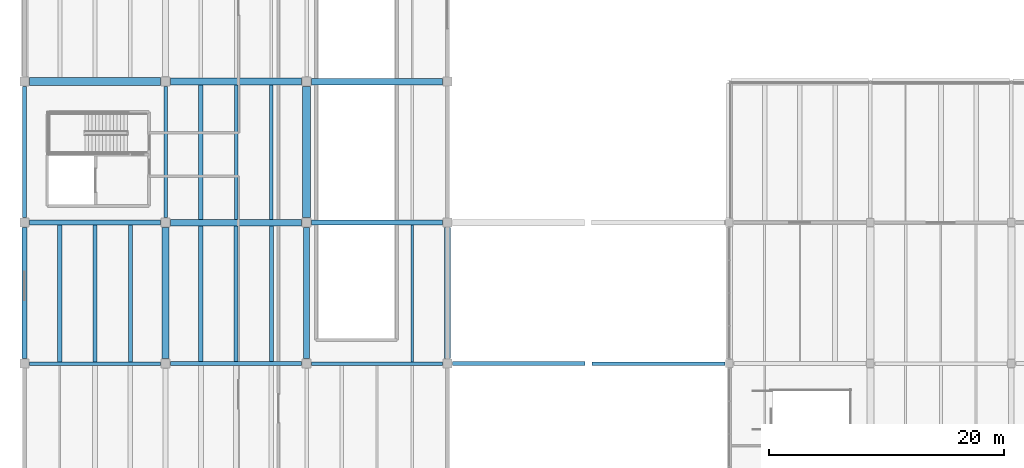
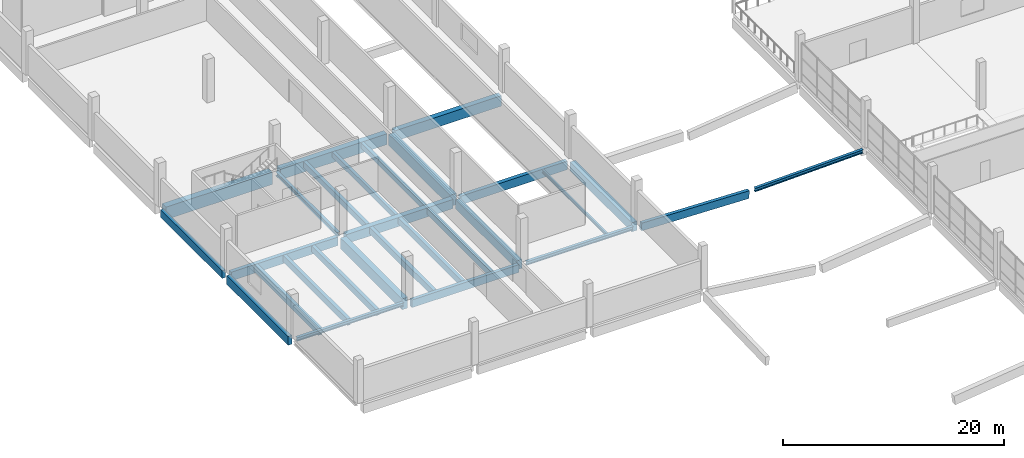
# One storey, part 19 of 112: 28 beams.
"""IFC4 building model written with IfcOpenShell, lengths in metres."""

from ifc_helpers import new_model, si_unit, direction, frame, origin, origin_2d, place, context, subcontext, project, spatial, rectangle, i_section, extrude, material, material_profile, profile_set, type_object, element, save


model = new_model("IFC4")

# Units and contexts
model_context = context("Model", 3, precision=1e-05, world=origin(), true_north=direction((0.0, 1.0)))
body_context = subcontext(model_context, "Body", "Model", "MODEL_VIEW")
ifc_project = project(units=[si_unit("LENGTHUNIT", "METRE"), si_unit("AREAUNIT", "SQUARE_METRE"), si_unit("VOLUMEUNIT", "CUBIC_METRE"), si_unit("PLANEANGLEUNIT", "RADIAN"), si_unit("MASSUNIT", "GRAM", prefix="KILO")], contexts=[model_context])

# Site, building, storey
site_placement = place(None, origin())
site = spatial("IfcSite", under=ifc_project, at=site_placement, CompositionType="ELEMENT")
building_placement = place(site_placement, origin())
building = spatial("IfcBuilding", under=site, at=building_placement, Name="Kamomehara Wholesale Market", CompositionType="ELEMENT")
storey_placement = place(building_placement, frame((0.0, 0.0, 6.60009765625)))
storey = spatial("IfcBuildingStorey", under=building, at=storey_placement, Name="L01", CompositionType="ELEMENT", Elevation=6.60009765625)

# Beams
ifc_material_1 = material(Name="Precast concrete Fc45 (C40/50)", Category="concrete")
ifc_material_profile_1 = material_profile(ifc_material_1, rectangle(XDim=0.5, YDim=1.0, at=origin_2d()), Name="PC-GRD-500x1000")
ifc_profile_set_1 = profile_set([ifc_material_profile_1], Name="Precast concrete Fc45 (C40/50)")
beam_type_1 = type_object("IfcBeamType", Name="BM-PG1000", PredefinedType="T_BEAM", material=ifc_profile_set_1)
beam_1_placement = place(storey_placement, frame((24.0, 48.425048828125, -0.842041015625), z_axis=(0.0, 1.0, 0.0), x_axis=(-1.0, 0.0, 0.0)))
element("IfcBeam", 1, at=beam_1_placement, inside=storey, type_object=beam_type_1, Name="Beam PG-09 L01", PredefinedType="T_BEAM", context=body_context, shape_type="SweptSolid", body=[
    extrude(rectangle(XDim=0.5, YDim=1.0, at=origin_2d()), origin(), (0.0, 0.0, 1.0), 11.14990234375),
])
ifc_material_2 = material(Name="Precast concrete Fc45 (C40/50)", Category="concrete")
ifc_material_profile_2 = material_profile(ifc_material_2, rectangle(XDim=0.550048828125, YDim=1.14990234375, at=origin_2d()), Name="PC-GRD-550x1150")
ifc_profile_set_2 = profile_set([ifc_material_profile_2], Name="Precast concrete Fc45 (C40/50)")
beam_type_2 = type_object("IfcBeamType", Name="BM-PG1150", PredefinedType="T_BEAM", material=ifc_profile_set_2)
beam_2_placement = place(storey_placement, frame((24.425048828125, 72.0, -0.9169921875), z_axis=(1.0, 0.0, 0.0), x_axis=(0.0, 1.0, 0.0)))
element("IfcBeam", 2, at=beam_2_placement, inside=storey, type_object=beam_type_2, Name="Beam PG-06 L01", PredefinedType="T_BEAM", context=body_context, shape_type="SweptSolid", body=[
    extrude(rectangle(XDim=0.550048828125, YDim=1.14990234375, at=origin_2d()), origin(), (0.0, 0.0, 1.0), 11.14990234375),
])
ifc_material_3 = material(Name="Precast concrete Fc45 (C40/50)", Category="concrete")
ifc_material_profile_3 = material_profile(ifc_material_3, rectangle(XDim=0.60009765625, YDim=1.199951171875, at=origin_2d()), Name="PC-GRD-600x1200")
ifc_profile_set_3 = profile_set([ifc_material_profile_3], Name="Precast concrete Fc45 (C40/50)")
beam_type_3 = type_object("IfcBeamType", Name="BM-PG1200", PredefinedType="T_BEAM", material=ifc_profile_set_3)
for number, where, z_axis, x_axis, name in (
    (3, (12.0, 48.425048828125, -0.942138671875), (0.0, 1.0, 0.0), (-1.0, 0.0, 0.0), "Beam PG-05 L01"),
    (4, (12.425048828125, 72.0, -0.942138671875), (1.0, 0.0, 0.0), (0.0, 1.0, 0.0), "Beam PG-05 L01"),
):
    element("IfcBeam", number, at=place(storey_placement, frame(where, z_axis=z_axis, x_axis=x_axis)), inside=storey, type_object=beam_type_3, Name=name, PredefinedType="T_BEAM", context=body_context, shape_type="SweptSolid", body=[
        extrude(rectangle(XDim=0.60009765625, YDim=1.199951171875, at=origin_2d()), origin(), (0.0, 0.0, 1.0), 11.14990234375),
    ])
ifc_material_4 = material(Name="Precast concrete Fc45 (C40/50)", Category="concrete")
ifc_material_profile_4 = material_profile(ifc_material_4, rectangle(XDim=0.64990234375, YDim=1.25, at=origin_2d()), Name="PC-GRD-650x1250")
ifc_profile_set_4 = profile_set([ifc_material_profile_4], Name="Precast concrete Fc45 (C40/50)")
beam_type_4 = type_object("IfcBeamType", Name="BM-PG1250", PredefinedType="T_BEAM", material=ifc_profile_set_4)
beam_3_placement = place(storey_placement, frame((24.0, 60.425048828125, -0.967041015625), z_axis=(0.0, 1.0, 0.0), x_axis=(-1.0, 0.0, 0.0)))
element("IfcBeam", 5, at=beam_3_placement, inside=storey, type_object=beam_type_4, Name="Beam PG-04 L01", PredefinedType="T_BEAM", context=body_context, shape_type="SweptSolid", body=[
    extrude(rectangle(XDim=0.64990234375, YDim=1.25, at=origin_2d()), origin(), (0.0, 0.0, 1.0), 11.14990234375),
])
ifc_material_5 = material(Name="Precast concrete Fc45 (C40/50)", Category="concrete")
ifc_material_profile_5 = material_profile(ifc_material_5, rectangle(XDim=0.679931640625, YDim=1.3798828125, at=origin_2d()), Name="PC-GRD-680x1380")
ifc_profile_set_5 = profile_set([ifc_material_profile_5], Name="Precast concrete Fc45 (C40/50)")
beam_type_5 = type_object("IfcBeamType", Name="BM-PG1380", PredefinedType="T_BEAM", material=ifc_profile_set_5)
beam_4_placement = place(storey_placement, frame((0.425048828125, 72.0, -1.031982421875), z_axis=(1.0, 0.0, 0.0), x_axis=(0.0, 1.0, 0.0)))
element("IfcBeam", 6, at=beam_4_placement, inside=storey, type_object=beam_type_5, Name="Beam PG-12 L01", PredefinedType="T_BEAM", context=body_context, shape_type="SweptSolid", body=[
    extrude(rectangle(XDim=0.679931640625, YDim=1.3798828125, at=origin_2d()), origin(), (0.0, 0.0, 1.0), 11.14990234375),
])
ifc_material_6 = material(Name="Precast concrete Fc45 (C40/50)", Category="concrete")
ifc_material_profile_6 = material_profile(ifc_material_6, rectangle(XDim=0.320068359375, YDim=0.60009765625, at=origin_2d()), Name="PC-JST-320x600")
ifc_profile_set_6 = profile_set([ifc_material_profile_6], Name="Precast concrete Fc45 (C40/50)")
beam_type_6 = type_object("IfcBeamType", Name="BM-PJ600", PredefinedType="JOIST", material=ifc_profile_set_6)
beam_5_placement = place(storey_placement, frame((21.0, 60.27490234375, -0.64208984375), z_axis=(0.0, 1.0, 0.0), x_axis=(-1.0, 0.0, 0.0)))
element("IfcBeam", 7, at=beam_5_placement, inside=storey, type_object=beam_type_6, Name="Beam PJ-05 L01", PredefinedType="JOIST", context=body_context, shape_type="SweptSolid", body=[
    extrude(rectangle(XDim=0.320068359375, YDim=0.60009765625, at=origin_2d()), origin(), (0.0, 0.0, 1.0), 11.425048828125),
])
ifc_material_7 = material(Name="Precast concrete Fc45 (C40/50)", Category="concrete")
ifc_material_profile_7 = material_profile(ifc_material_7, rectangle(XDim=0.300048828125, YDim=0.60009765625, at=origin_2d()), Name="PC-JST-300x600")
ifc_profile_set_7 = profile_set([ifc_material_profile_7], Name="Precast concrete Fc45 (C40/50)")
beam_type_7 = type_object("IfcBeamType", Name="BM-PJ600B", PredefinedType="JOIST", material=ifc_profile_set_7)
beam_6_placement = place(storey_placement, frame((18.0, 60.27490234375, -0.64208984375), z_axis=(0.0, 1.0, 0.0), x_axis=(-1.0, 0.0, 0.0)))
element("IfcBeam", 8, at=beam_6_placement, inside=storey, type_object=beam_type_7, Name="Beam PJ-10 L01", PredefinedType="JOIST", context=body_context, shape_type="SweptSolid", body=[
    extrude(rectangle(XDim=0.300048828125, YDim=0.60009765625, at=origin_2d()), origin(), (0.0, 0.0, 1.0), 11.425048828125),
])
ifc_material_8 = material(Name="Precast concrete Fc45 (C40/50)", Category="concrete")
ifc_material_profile_8 = material_profile(ifc_material_8, rectangle(XDim=0.35009765625, YDim=0.64990234375, at=origin_2d()), Name="PC-JST-350x650")
ifc_profile_set_8 = profile_set([ifc_material_profile_8], Name="Precast concrete Fc45 (C40/50)")
beam_type_8 = type_object("IfcBeamType", Name="BM-PJ650", PredefinedType="JOIST", material=ifc_profile_set_8)
beam_7_placement = place(storey_placement, frame((15.0, 60.27490234375, -0.6669921875), z_axis=(0.0, 1.0, 0.0), x_axis=(-1.0, 0.0, 0.0)))
element("IfcBeam", 9, at=beam_7_placement, inside=storey, type_object=beam_type_8, Name="Beam PJ-04 L01", PredefinedType="JOIST", context=body_context, shape_type="SweptSolid", body=[
    extrude(rectangle(XDim=0.35009765625, YDim=0.64990234375, at=origin_2d()), origin(), (0.0, 0.0, 1.0), 11.425048828125),
])
ifc_material_9 = material(Name="Precast concrete Fc45 (C40/50)", Category="concrete")
ifc_material_profile_9 = material_profile(ifc_material_9, rectangle(XDim=0.340087890625, YDim=0.679931640625, at=origin_2d()), Name="PC-JST-340x680")
ifc_profile_set_9 = profile_set([ifc_material_profile_9], Name="Precast concrete Fc45 (C40/50)")
beam_type_9 = type_object("IfcBeamType", Name="BM-PJ680", PredefinedType="JOIST", material=ifc_profile_set_9)
beam_8_placement = place(storey_placement, frame((21.0, 48.175048828125, -0.68212890625), z_axis=(0.0, 1.0, 0.0), x_axis=(-1.0, 0.0, 0.0)))
element("IfcBeam", 10, at=beam_8_placement, inside=storey, type_object=beam_type_9, Name="Beam PJ-09 L01", PredefinedType="JOIST", context=body_context, shape_type="SweptSolid", body=[
    extrude(rectangle(XDim=0.340087890625, YDim=0.679931640625, at=origin_2d()), origin(), (0.0, 0.0, 1.0), 11.550048828125),
])
ifc_material_10 = material(Name="Precast concrete Fc45 (C40/50)", Category="concrete")
ifc_material_profile_10 = material_profile(ifc_material_10, rectangle(XDim=0.35009765625, YDim=0.699951171875, at=origin_2d()), Name="PC-JST-350x700")
ifc_profile_set_10 = profile_set([ifc_material_profile_10], Name="Precast concrete Fc45 (C40/50)")
beam_type_10 = type_object("IfcBeamType", Name="BM-PJ700", PredefinedType="JOIST", material=ifc_profile_set_10)
beam_9_placement = place(storey_placement, frame((9.0, 48.14990234375, -0.692138671875), z_axis=(0.0, 1.0, 0.0), x_axis=(-1.0, 0.0, 0.0)))
element("IfcBeam", 11, at=beam_9_placement, inside=storey, type_object=beam_type_10, Name="Beam PJ-03 L01", PredefinedType="JOIST", context=body_context, shape_type="SweptSolid", body=[
    extrude(rectangle(XDim=0.35009765625, YDim=0.699951171875, at=origin_2d()), origin(), (0.0, 0.0, 1.0), 11.650146484375),
])
beam_10_placement = place(storey_placement, frame((18.0, 48.175048828125, -0.692138671875), z_axis=(0.0, 1.0, 0.0), x_axis=(-1.0, 0.0, 0.0)))
element("IfcBeam", 12, at=beam_10_placement, inside=storey, type_object=beam_type_10, Name="Beam PJ-03 L01", PredefinedType="JOIST", context=body_context, shape_type="SweptSolid", body=[
    extrude(rectangle(XDim=0.35009765625, YDim=0.699951171875, at=origin_2d()), origin(), (0.0, 0.0, 1.0), 11.550048828125),
])
ifc_material_11 = material(Name="Precast concrete Fc45 (C40/50)", Category="concrete")
ifc_material_profile_11 = material_profile(ifc_material_11, rectangle(XDim=0.360107421875, YDim=0.719970703125, at=origin_2d()), Name="PC-JST-360x720")
ifc_profile_set_11 = profile_set([ifc_material_profile_11], Name="Precast concrete Fc45 (C40/50)")
beam_type_11 = type_object("IfcBeamType", Name="BM-PJ720", PredefinedType="JOIST", material=ifc_profile_set_11)
beam_11_placement = place(storey_placement, frame((6.0, 48.14990234375, -0.7021484375), z_axis=(0.0, 1.0, 0.0), x_axis=(-1.0, 0.0, 0.0)))
element("IfcBeam", 13, at=beam_11_placement, inside=storey, type_object=beam_type_11, Name="Beam PJ-08 L01", PredefinedType="JOIST", context=body_context, shape_type="SweptSolid", body=[
    extrude(rectangle(XDim=0.360107421875, YDim=0.719970703125, at=origin_2d()), origin(), (0.0, 0.0, 1.0), 11.650146484375),
])
beam_12_placement = place(storey_placement, frame((15.0, 48.175048828125, -0.7021484375), z_axis=(0.0, 1.0, 0.0), x_axis=(-1.0, 0.0, 0.0)))
element("IfcBeam", 14, at=beam_12_placement, inside=storey, type_object=beam_type_11, Name="Beam PJ-08 L01", PredefinedType="JOIST", context=body_context, shape_type="SweptSolid", body=[
    extrude(rectangle(XDim=0.360107421875, YDim=0.719970703125, at=origin_2d()), origin(), (0.0, 0.0, 1.0), 11.550048828125),
])
ifc_material_12 = material(Name="Precast concrete Fc45 (C40/50)", Category="concrete")
ifc_material_profile_12 = material_profile(ifc_material_12, rectangle(XDim=0.3798828125, YDim=0.75, at=origin_2d()), Name="PC-JST-380x750")
ifc_profile_set_12 = profile_set([ifc_material_profile_12], Name="Precast concrete Fc45 (C40/50)")
beam_type_12 = type_object("IfcBeamType", Name="BM-PJ750", PredefinedType="JOIST", material=ifc_profile_set_12)
beam_13_placement = place(storey_placement, frame((3.0, 48.14990234375, -0.717041015625), z_axis=(0.0, 1.0, 0.0), x_axis=(-1.0, 0.0, 0.0)))
element("IfcBeam", 15, at=beam_13_placement, inside=storey, type_object=beam_type_12, Name="Beam PJ-02 L01", PredefinedType="JOIST", context=body_context, shape_type="SweptSolid", body=[
    extrude(rectangle(XDim=0.3798828125, YDim=0.75, at=origin_2d()), origin(), (0.0, 0.0, 1.0), 11.650146484375),
])
ifc_material_13 = material(Name="Concrete Fc36 (C35/45)", Category="concrete")
ifc_material_profile_13 = material_profile(ifc_material_13, rectangle(XDim=0.550048828125, YDim=1.0, at=origin_2d()), Name="RC-SEB-550x1000")
ifc_profile_set_13 = profile_set([ifc_material_profile_13], Name="Concrete Fc36 (C35/45)")
beam_type_13 = type_object("IfcBeamType", Name="BM-SEB1000-EXT", PredefinedType="SPANDREL", material=ifc_profile_set_13)
for number, where, z_axis, x_axis, name in (
    (16, (36.0, 48.425048828125, -0.842041015625), (0.0, 1.0, 0.0), (-1.0, 0.0, 0.0), "Beam SEB-03E L01"),
    (17, (12.425048828125, 60.0, -0.842041015625), (1.0, 0.0, 0.0), (0.0, 1.0, 0.0), "Beam SEB-03E L01"),
):
    element("IfcBeam", number, at=place(storey_placement, frame(where, z_axis=z_axis, x_axis=x_axis)), inside=storey, type_object=beam_type_13, Name=name, PredefinedType="SPANDREL", context=body_context, shape_type="SweptSolid", body=[
        extrude(rectangle(XDim=0.550048828125, YDim=1.0, at=origin_2d()), origin(), (0.0, 0.0, 1.0), 11.14990234375),
    ])
ifc_material_14 = material(Name="Precast concrete Fc45 (C40/50)", Category="concrete")
ifc_material_profile_14 = material_profile(ifc_material_14, rectangle(XDim=0.35009765625, YDim=0.85009765625, at=origin_2d()), Name="PC-SPN-350x850")
ifc_profile_set_14 = profile_set([ifc_material_profile_14], Name="Precast concrete Fc45 (C40/50)")
beam_type_14 = type_object("IfcBeamType", Name="BM-SPN850-EXT", PredefinedType="SPANDREL", material=ifc_profile_set_14)
beam_14_placement = place(storey_placement, frame((12.425048828125, 48.0, -0.76708984375), z_axis=(1.0, 0.0, 0.0), x_axis=(0.0, 1.0, 0.0)))
element("IfcBeam", 18, at=beam_14_placement, inside=storey, type_object=beam_type_14, Name="Beam SPN-02E L01", PredefinedType="SPANDREL", context=body_context, shape_type="SweptSolid", body=[
    extrude(rectangle(XDim=0.35009765625, YDim=0.85009765625, at=origin_2d()), origin(), (0.0, 0.0, 1.0), 11.14990234375),
])
beam_15_placement = place(storey_placement, frame((36.425048828125, 48.0, -0.68505859375), z_axis=(0.999543385436, 0.0, -0.030216231248), x_axis=(0.0, 1.0, 0.0)))
element("IfcBeam", 19, at=beam_15_placement, inside=storey, type_object=beam_type_14, Name="Beam SPN-02E L01", PredefinedType="SPANDREL", context=body_context, shape_type="SweptSolid", body=[
    extrude(rectangle(XDim=0.35009765625, YDim=0.85009765625, at=origin_2d()), origin(), (0.0, 0.0, 1.0), 11.255126953125),
])
beam_16_placement = place(storey_placement, frame((0.0, 60.425048828125, -0.76708984375), z_axis=(0.0, 1.0, 0.0), x_axis=(-1.0, 0.0, 0.0)))
element("IfcBeam", 20, at=beam_16_placement, inside=storey, type_object=beam_type_14, Name="Beam SPN-02E L01", PredefinedType="SPANDREL", context=body_context, shape_type="SweptSolid", body=[
    extrude(rectangle(XDim=0.35009765625, YDim=0.85009765625, at=origin_2d()), origin(), (0.0, 0.0, 1.0), 11.14990234375),
])
ifc_material_15 = material(Name="Precast concrete Fc45 (C40/50)", Category="concrete")
ifc_material_profile_15 = material_profile(ifc_material_15, rectangle(XDim=0.39990234375, YDim=0.949951171875, at=origin_2d()), Name="PC-SPN-400x950")
ifc_profile_set_15 = profile_set([ifc_material_profile_15], Name="Precast concrete Fc45 (C40/50)")
beam_type_15 = type_object("IfcBeamType", Name="BM-SPN950-EXT", PredefinedType="SPANDREL", material=ifc_profile_set_15)
for number, where, z_axis, x_axis, name in (
    (21, (0.0, 48.425048828125, -0.817138671875), (0.0, 1.0, 0.0), (-1.0, 0.0, 0.0), "Beam SPN-01E L01"),
    (22, (0.425048828125, 60.0, -0.817138671875), (1.0, 0.0, 0.0), (0.0, 1.0, 0.0), "Beam SPN-01E L01"),
    (23, (24.425048828125, 60.0, -0.817138671875), (1.0, 0.0, 0.0), (0.0, 1.0, 0.0), "Beam SPN-01E L01"),
):
    element("IfcBeam", number, at=place(storey_placement, frame(where, z_axis=z_axis, x_axis=x_axis)), inside=storey, type_object=beam_type_15, Name=name, PredefinedType="SPANDREL", context=body_context, shape_type="SweptSolid", body=[
        extrude(rectangle(XDim=0.39990234375, YDim=0.949951171875, at=origin_2d()), origin(), (0.0, 0.0, 1.0), 11.14990234375),
    ])
ifc_material_16 = material(Name="Steel SN400B", Category="steel")
ifc_material_profile_16 = material_profile(ifc_material_16, i_section(OverallWidth=0.175048828125, OverallDepth=0.35009765625, WebThickness=0.007080078125, FlangeThickness=0.010986328125, FilletRadius=0.012939453125, at=origin_2d()), Name="H-350x175x7x11")
ifc_profile_set_16 = profile_set([ifc_material_profile_16], Name="Steel SN400B")
beam_type_16 = type_object("IfcBeamType", Name="BM-ST-H350", PredefinedType="JOIST", material=ifc_profile_set_16)
beam_17_placement = place(storey_placement, frame((33.0, 48.14990234375, -0.51708984375), z_axis=(0.0, 1.0, 0.0), x_axis=(-1.0, 0.0, 0.0)))
element("IfcBeam", 24, at=beam_17_placement, inside=storey, type_object=beam_type_16, Name="Beam SJ-04 L01", PredefinedType="JOIST", context=body_context, shape_type="SweptSolid", body=[
    extrude(i_section(OverallWidth=0.175048828125, OverallDepth=0.35009765625, WebThickness=0.007080078125, FlangeThickness=0.010986328125, FilletRadius=0.012939453125, at=origin_2d()), origin(), (0.0, 0.0, 1.0), 11.650146484375),
])
ifc_material_17 = material(Name="Steel SN490B", Category="steel")
ifc_material_profile_17 = material_profile(ifc_material_17, i_section(OverallWidth=0.300048828125, OverallDepth=0.389892578125, WebThickness=0.010009765625, FlangeThickness=0.01611328125, FilletRadius=0.01806640625, at=origin_2d()), Name="H-390x300x10x16")
ifc_profile_set_17 = profile_set([ifc_material_profile_17], Name="Steel SN490B")
beam_type_17 = type_object("IfcBeamType", Name="BM-ST-H390-EXT", PredefinedType="SPANDREL", material=ifc_profile_set_17)
for number, where, z_axis, x_axis, name in (
    (25, (0.425048828125, 48.0, -0.537109375), (1.0, 0.0, 0.0), (0.0, 1.0, 0.0), "Beam SJ-03E L01"),
    (26, (24.425048828125, 48.0, -0.537109375), (1.0, 0.0, 0.0), (0.0, 1.0, 0.0), "Beam SJ-03E L01"),
):
    element("IfcBeam", number, at=place(storey_placement, frame(where, z_axis=z_axis, x_axis=x_axis)), inside=storey, type_object=beam_type_17, Name=name, PredefinedType="SPANDREL", context=body_context, shape_type="SweptSolid", body=[
        extrude(i_section(OverallWidth=0.300048828125, OverallDepth=0.389892578125, WebThickness=0.010009765625, FlangeThickness=0.01611328125, FilletRadius=0.01806640625, at=origin_2d()), origin(), (0.0, 0.0, 1.0), 11.14990234375),
    ])
beam_18_placement = place(storey_placement, frame((48.324951171875, 48.0, -0.795166015625), z_axis=(0.999547418505, 0.0, 0.030082522501), x_axis=(0.0, 1.0, 0.0)))
element("IfcBeam", 27, at=beam_18_placement, inside=storey, type_object=beam_type_17, Name="Beam SJ-03E L01", PredefinedType="SPANDREL", context=body_context, shape_type="SweptSolid", body=[
    extrude(i_section(OverallWidth=0.300048828125, OverallDepth=0.389892578125, WebThickness=0.010009765625, FlangeThickness=0.01611328125, FilletRadius=0.01806640625, at=origin_2d()), origin(), (0.0, 0.0, 1.0), 11.30517578125),
])
ifc_material_18 = material(Name="Steel SN490B", Category="steel")
ifc_material_profile_18 = material_profile(ifc_material_18, i_section(OverallWidth=0.300048828125, OverallDepth=0.43994140625, WebThickness=0.010986328125, FlangeThickness=0.01806640625, FilletRadius=0.01806640625, at=origin_2d()), Name="H-440x300x11x18")
ifc_profile_set_18 = profile_set([ifc_material_profile_18], Name="Steel SN490B")
beam_type_18 = type_object("IfcBeamType", Name="BM-ST-H440", PredefinedType="BEAM", material=ifc_profile_set_18)
beam_19_placement = place(storey_placement, frame((12.0, 60.425048828125, -0.56201171875), z_axis=(0.0, 1.0, 0.0), x_axis=(-1.0, 0.0, 0.0)))
element("IfcBeam", 28, at=beam_19_placement, inside=storey, type_object=beam_type_18, Name="Beam SG-11 L01", PredefinedType="BEAM", context=body_context, shape_type="SweptSolid", body=[
    extrude(i_section(OverallWidth=0.300048828125, OverallDepth=0.43994140625, WebThickness=0.010986328125, FlangeThickness=0.01806640625, FilletRadius=0.01806640625, at=origin_2d()), origin(), (0.0, 0.0, 1.0), 11.14990234375),
])

save(model, "model.ifc")
